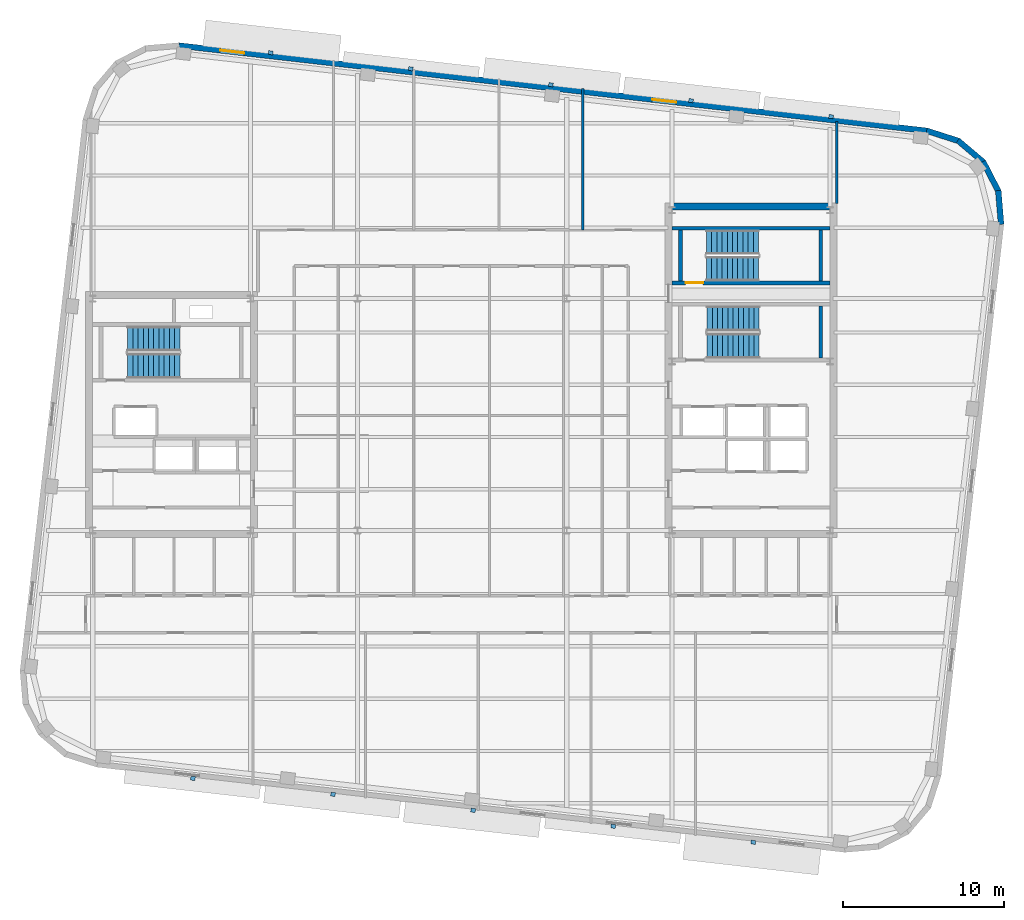
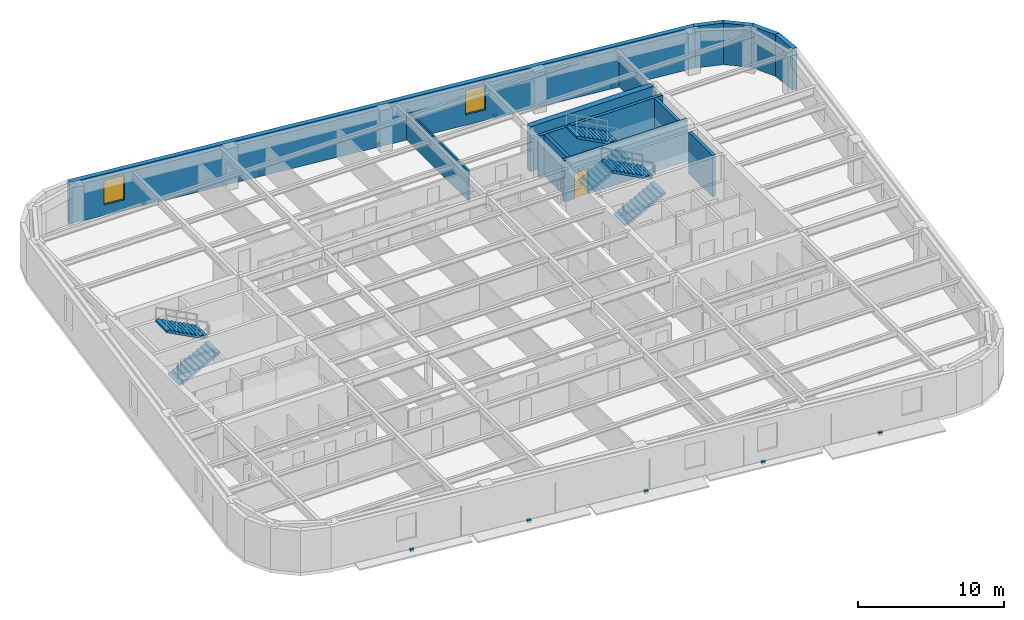
# One storey, part 9 of 13: 13 walls, 10 discrete accessories, 6 stair flights, 2 windows, 1 door, 3 openings, 3 elements without a shape of their own.
"""IFC4 building model written with IfcOpenShell, lengths in metres."""

from ifc_helpers import new_model, si_unit, direction, frame, frame_2d, origin, origin_2d, place, context, subcontext, project, spatial, polyline, rectangle, outline, extrude, material, layer, layer_set, type_object, element, fill, aggregate, save


model = new_model("IFC4")

# Units and contexts
model_context = context("Model", 3, precision=1e-05, world=origin(), true_north=direction((0.0, 1.0)))
body_context = subcontext(model_context, "Body", "Model", "MODEL_VIEW")
ifc_project = project(units=[si_unit("LENGTHUNIT", "METRE"), si_unit("AREAUNIT", "SQUARE_METRE"), si_unit("VOLUMEUNIT", "CUBIC_METRE"), si_unit("PLANEANGLEUNIT", "RADIAN"), si_unit("MASSUNIT", "GRAM", prefix="KILO")], contexts=[model_context])

# Site, building, storey
site_placement = place(None, origin())
site = spatial("IfcSite", under=ifc_project, at=site_placement, CompositionType="ELEMENT")
building_placement = place(site_placement, origin())
building = spatial("IfcBuilding", under=site, at=building_placement, Name="Kolvaren Arena Tower", CompositionType="ELEMENT")
storey_placement = place(building_placement, frame((0.0, 0.0, 232.199951171875)))
storey = spatial("IfcBuildingStorey", under=building, at=storey_placement, Name="L56", CompositionType="ELEMENT", Elevation=232.199951171875)

# Walls
ifc_material_1 = material(Name="Concrete 55 MPa", Category="concrete")
ifc_layer_1 = layer(ifc_material_1, 0.449951171875)
ifc_layer_set_1 = layer_set([ifc_layer_1], Name="Concrete 55 MPa")
wall_type_1 = type_object("IfcWallType", Name="CWALL-450", PredefinedType="SHEAR", material=ifc_layer_set_1)
wall_1_placement = place(storey_placement, frame((50.550048828125, 39.574951171875, -0.27001953125), z_axis=(0.0, 0.0, 1.0), x_axis=(1.0, 0.0, 0.0)))
element("IfcWall", 1, at=wall_1_placement, inside=storey, type_object=wall_type_1, Name="Core Shear Wall EC-NORTH (L56)", PredefinedType="SHEAR", context=body_context, shape_type="SweptSolid", body=[
    extrude(rectangle(XDim=9.800048828125, YDim=0.449951171875, at=frame_2d((4.89990234375, 0.0))), origin(), (0.0, 0.0, 1.0), 3.75),
])
ifc_material_2 = material(Name="Precast concrete C50/60", Category="concrete")
ifc_layer_2 = layer(ifc_material_2, 0.360107421875)
ifc_layer_set_2 = layer_set([ifc_layer_2], Name="Precast concrete C50/60")
wall_type_2 = type_object("IfcWallType", Name="EXT-PIER2", PredefinedType="SOLIDWALL", material=ifc_layer_set_2)
wall_2_placement = place(storey_placement, frame((70.813720703125, 40.563720703125, 0.0), z_axis=(0.0, 0.0, 1.0), x_axis=(0.082853678144, -0.996561723135, 0.0)))
element("IfcWall", 2, at=wall_2_placement, inside=storey, type_object=wall_type_2, Name="Exterior Precast Masonry-Frame Wall (L56)", PredefinedType="SOLIDWALL", context=body_context, shape_type="SweptSolid", body=[
    extrude(rectangle(XDim=2.10693359375, YDim=0.360107421875, at=frame_2d((1.053466796875, 0.0))), origin(), (0.0, 0.0, 1.0), 3.47998046875),
])
for number, where, z_axis, x_axis, name in (
    (3, (69.868408203125, 42.369384765625, 0.0), (0.0, 0.0, 1.0), (0.457887222333, -0.889010287693, 0.0), "Exterior Precast Masonry-Frame Wall (L56)"),
    (4, (68.303955078125, 43.67578125, 0.0), (0.0, 0.0, 1.0), (0.763192878975, -0.646170743289, 0.0), "Exterior Precast Masonry-Frame Wall (L56)"),
    (5, (66.358642578125, 44.283935546875, 0.0), (0.0, 0.0, 1.0), (0.952403965565, -0.304838787518, 0.0), "Exterior Precast Masonry-Frame Wall (L56)"),
):
    element("IfcWall", number, at=place(storey_placement, frame(where, z_axis=z_axis, x_axis=x_axis)), inside=storey, type_object=wall_type_2, Name=name, PredefinedType="SOLIDWALL", context=body_context, shape_type="SweptSolid", body=[
        extrude(rectangle(XDim=2.107177734375, YDim=0.360107421875, at=frame_2d((1.0537109375, 0.0))), origin(), (0.0, 0.0, 1.0), 3.47998046875),
    ])

# Wall, openings, windows
wall_3_placement = place(storey_placement, frame((19.89404296875, 49.57470703125, 0.0), z_axis=(0.0, 0.0, 1.0), x_axis=(0.993571439016, -0.113206870688, 0.0)))
wall_3 = element("IfcWall", 6, at=wall_3_placement, inside=storey, type_object=wall_type_2, Name="Exterior Precast Masonry-Frame Wall (L56)", PredefinedType="SOLIDWALL", context=body_context, shape_type="SweptSolid", body=[
    extrude(rectangle(XDim=46.800048828125, YDim=0.360107421875, at=frame_2d((23.39990234375, 0.0))), origin(), (0.0, 0.0, 1.0), 3.47998046875),
])
opening_1_placement = place(wall_3_placement, frame((2.60009765625, 0.0, 0.8798828125)))
opening_1 = element("IfcOpeningElement", 7, at=opening_1_placement, cuts=wall_3, Name="Opening W03", PredefinedType="OPENING", context=body_context, shape_type="SweptSolid", body=[
    extrude(rectangle(XDim=1.5, YDim=2.050048828125, at=frame_2d((0.75, 1.02490234375))), frame((0.0, 0.18994140625, 0.0), z_axis=(0.0, -1.0, 0.0), x_axis=(1.0, 0.0, 0.0)), (0.0, 0.0, 1.0), 0.380126953125),
])
opening_2_placement = place(wall_3_placement, frame((29.60009765625, 0.0, 0.8798828125)))
opening_2 = element("IfcOpeningElement", 8, at=opening_2_placement, cuts=wall_3, Name="Opening W03", PredefinedType="OPENING", context=body_context, shape_type="SweptSolid", body=[
    extrude(rectangle(XDim=1.5, YDim=2.050048828125, at=frame_2d((0.75, 1.02490234375))), frame((0.0, 0.18994140625, 0.0), z_axis=(0.0, -1.0, 0.0), x_axis=(1.0, 0.0, 0.0)), (0.0, 0.0, 1.0), 0.380126953125),
])
ifc_material_3 = material(Name="Triple-glazed low-E aluminium window", Category="aluminium")
window_type = type_object("IfcWindowType", Name="WIN-OFF-C", PartitioningType="SINGLE_PANEL", PredefinedType="WINDOW", material=ifc_material_3)
window_1_placement = place(opening_1_placement, origin())
window_1 = element("IfcWindow", 9, at=window_1_placement, inside=storey, type_object=window_type, Name="Punched Precast-Pier Window (L56)", OverallHeight=2.050048828125, OverallWidth=1.5, PartitioningType="SINGLE_PANEL", PredefinedType="WINDOW", context=body_context, shape_type="SweptSolid", body=[
    extrude(rectangle(XDim=1.5, YDim=2.050048828125, at=frame_2d((0.75, 1.02490234375))), frame((0.0, 0.030029296875, 0.0), z_axis=(0.0, -1.0, 0.0), x_axis=(1.0, 0.0, 0.0)), (0.0, 0.0, 1.0), 0.06005859375),
])
fill(opening_1, window_1)
window_2_placement = place(opening_2_placement, origin())
window_2 = element("IfcWindow", 10, at=window_2_placement, inside=storey, type_object=window_type, Name="Punched Precast-Pier Window (L56)", OverallHeight=2.050048828125, OverallWidth=1.5, PartitioningType="SINGLE_PANEL", PredefinedType="WINDOW", context=body_context, shape_type="SweptSolid", body=[
    extrude(rectangle(XDim=1.5, YDim=2.050048828125, at=frame_2d((0.75, 1.02490234375))), frame((0.0, 0.030029296875, 0.0), z_axis=(0.0, -1.0, 0.0), x_axis=(1.0, 0.0, 0.0)), (0.0, 0.0, 1.0), 0.06005859375),
])
fill(opening_2, window_2)

# Walls
ifc_material_4 = material(Name="Gypsum board partition assembly", Category="gypsum")
ifc_layer_3 = layer(ifc_material_4, 0.135009765625)
ifc_layer_set_3 = layer_set([ifc_layer_3], Name="Gypsum board partition assembly")
wall_type_3 = type_object("IfcWallType", Name="PART-135", PredefinedType="PARTITIONING", material=ifc_layer_set_3)
wall_4_placement = place(storey_placement, frame((45.0, 38.1201171875, 0.0), z_axis=(0.0, 0.0, 1.0), x_axis=(0.0, 1.0, 0.0)))
element("IfcWall", 11, at=wall_4_placement, inside=storey, type_object=wall_type_3, Name="Interior Partition Wall (L56)", PredefinedType="PARTITIONING", context=body_context, shape_type="SweptSolid", body=[
    extrude(rectangle(XDim=8.775146484375, YDim=0.135009765625, at=frame_2d((4.3876953125, 0.0))), origin(), (0.0, 0.0, 1.0), 2.5400390625),
])
wall_5_placement = place(storey_placement, frame((60.780029296875, 39.75, 0.0), z_axis=(0.0, 0.0, 1.0), x_axis=(0.0, 1.0, 0.0)))
element("IfcWall", 12, at=wall_5_placement, inside=storey, type_object=wall_type_3, Name="Interior Partition Wall (L56)", PredefinedType="PARTITIONING", context=body_context, shape_type="SweptSolid", body=[
    extrude(rectangle(XDim=5.105712890625, YDim=0.135009765625, at=frame_2d((2.552734375, 0.0))), origin(), (0.0, 0.0, 1.0), 2.5400390625),
])
ifc_material_5 = material(Name="Concrete 45 MPa", Category="concrete")
ifc_layer_4 = layer(ifc_material_5, 0.25)
ifc_layer_set_4 = layer_set([ifc_layer_4], Name="Concrete 45 MPa")
wall_type_4 = type_object("IfcWallType", Name="SHAFT-250", PredefinedType="SOLIDWALL", material=ifc_layer_set_4)
wall_6_placement = place(storey_placement, frame((59.780029296875, 30.14990234375, 0.0), z_axis=(0.0, 0.0, 1.0), x_axis=(0.0, 1.0, 0.0)))
element("IfcWall", 13, at=wall_6_placement, inside=storey, type_object=wall_type_4, Name="Core Shaft Wall (L56)", PredefinedType="SOLIDWALL", context=body_context, shape_type="SweptSolid", body=[
    extrude(rectangle(XDim=3.22998046875, YDim=0.239990234375, at=frame_2d((1.614990234375, 0.0))), origin(), (0.0, 0.0, 1.0), 3.47998046875),
])

# Wall, opening, door
wall_7_placement = place(storey_placement, frame((60.35009765625, 34.830078125, 0.0), z_axis=(0.0, 0.0, 1.0), x_axis=(-1.0, 0.0, 0.0)))
wall_7 = element("IfcWall", 14, at=wall_7_placement, inside=storey, type_object=wall_type_4, Name="Core Shaft Wall (L56)", PredefinedType="SOLIDWALL", context=body_context, shape_type="SweptSolid", body=[
    extrude(rectangle(XDim=9.800048828125, YDim=0.239990234375, at=frame_2d((4.89990234375, 0.0))), origin(), (0.0, 0.0, 1.0), 3.47998046875),
])
opening_3_placement = place(wall_7_placement, frame((7.8701171875, 0.0, 0.0)))
opening_3 = element("IfcOpeningElement", 15, at=opening_3_placement, cuts=wall_7, Name="Opening D03", PredefinedType="OPENING", context=body_context, shape_type="SweptSolid", body=[
    extrude(rectangle(XDim=1.10009765625, YDim=2.14990234375, at=frame_2d((0.550048828125, 1.074951171875))), frame((0.0, 0.1298828125, 0.0), z_axis=(0.0, -1.0, 0.0), x_axis=(1.0, 0.0, 0.0)), (0.0, 0.0, 1.0), 0.260009765625),
])
ifc_material_6 = material(Name="Fire-rated steel exit stair door", Category="steel")
door_type = type_object("IfcDoorType", Name="DOOR-ST-110", OperationType="NOTDEFINED", PredefinedType="DOOR", material=ifc_material_6)
door_placement = place(opening_3_placement, origin())
door = element("IfcDoor", 16, at=door_placement, inside=storey, type_object=door_type, Name="Stair ST-E2 Fire Door (L56)", OperationType="SINGLE_SWING_LEFT", OverallHeight=2.14990234375, OverallWidth=1.10009765625, PredefinedType="DOOR", context=body_context, shape_type="SweptSolid", body=[
    extrude(rectangle(XDim=1.10009765625, YDim=2.14990234375, at=frame_2d((0.550048828125, 1.074951171875))), frame((0.0, 0.02490234375, 0.0), z_axis=(0.0, -1.0, 0.0), x_axis=(1.0, 0.0, 0.0)), (0.0, 0.0, 1.0), 0.050048828125),
])
fill(opening_3, door)

# Walls
wall_8_placement = place(storey_placement, frame((50.550048828125, 38.219970703125, 0.0), z_axis=(0.0, 0.0, 1.0), x_axis=(1.0, 0.0, 0.0)))
element("IfcWall", 17, at=wall_8_placement, inside=storey, type_object=wall_type_4, Name="Core Shaft Wall (L56)", PredefinedType="SOLIDWALL", context=body_context, shape_type="SweptSolid", body=[
    extrude(rectangle(XDim=9.800048828125, YDim=0.239990234375, at=frame_2d((4.89990234375, 0.0))), origin(), (0.0, 0.0, 1.0), 3.47998046875),
])
for number, where, z_axis, x_axis, name in (
    (18, (51.06005859375, 34.949951171875, 0.0), (0.0, 0.0, 1.0), (0.0, 1.0, 0.0), "Core Shaft Wall (L56)"),
    (19, (59.780029296875, 34.949951171875, 0.0), (0.0, 0.0, 1.0), (0.0, 1.0, 0.0), "Core Shaft Wall (L56)"),
):
    element("IfcWall", number, at=place(storey_placement, frame(where, z_axis=z_axis, x_axis=x_axis)), inside=storey, type_object=wall_type_4, Name=name, PredefinedType="SOLIDWALL", context=body_context, shape_type="SweptSolid", body=[
        extrude(rectangle(XDim=3.150146484375, YDim=0.239990234375, at=frame_2d((1.5751953125, 0.0))), origin(), (0.0, 0.0, 1.0), 3.47998046875),
    ])

# Stair, stair flights
stair_type_1 = type_object("IfcStairType", Name="STAIR-CORE-150", PredefinedType="HALF_TURN_STAIR", material=ifc_material_5)
stair_1_placement = place(storey_placement, origin())
stair_1 = element("IfcStair", 20, at=stair_1_placement, inside=storey, type_object=stair_type_1, Name="L56 ST-E2", PredefinedType="HALF_TURN_STAIR")
stair_flight_type_1 = type_object("IfcStairFlightType", Name="FLT-150", PredefinedType="STRAIGHT", material=ifc_material_5)
stair_flight_1_placement = place(storey_placement, frame((52.679931640625, 35.699951171875, 0.0), z_axis=(0.0, 0.0, 1.0), x_axis=(1.0, 0.0, 0.0)))
stair_flight_1 = element("IfcStairFlight", 21, at=stair_flight_1_placement, type_object=stair_flight_type_1, Name="ST-E2 flight 1", NumberOfRisers=11, NumberOfTreads=10, PredefinedType="STRAIGHT", RiserHeight=0.170454545, TreadLength=0.324, context=body_context, shape_type="SweptSolid", body=[
    extrude(outline(polyline([(0.0, 0.0), (0.0, 0.17041015625), (0.323974609375, 0.17041015625), (0.323974609375, 0.3408203125), (0.64794921875, 0.3408203125), (0.64794921875, 0.511474609375), (0.971923828125, 0.511474609375), (0.971923828125, 0.681884765625), (1.2958984375, 0.681884765625), (1.2958984375, 0.852294921875), (1.6201171875, 0.852294921875), (1.6201171875, 1.022705078125), (1.944091796875, 1.022705078125), (1.944091796875, 1.193115234375), (2.26806640625, 1.193115234375), (2.26806640625, 1.363525390625), (2.592041015625, 1.363525390625), (2.592041015625, 1.5341796875), (2.916015625, 1.5341796875), (2.916015625, 1.70458984375), (3.239990234375, 1.70458984375), (3.239990234375, 1.875), (3.239990234375, 1.53515625), (0.322021484375, 0.0), (0.0, 0.0)])), frame((0.0, 0.75, 0.0), z_axis=(0.0, -1.0, 0.0), x_axis=(1.0, 0.0, 0.0)), (0.0, 0.0, 1.0), 1.5),
])
stair_flight_2_placement = place(storey_placement, frame((55.919921875, 37.35009765625, 1.875), z_axis=(0.0, 0.0, 1.0), x_axis=(-1.0, 0.0, 0.0)))
stair_flight_2 = element("IfcStairFlight", 22, at=stair_flight_2_placement, type_object=stair_flight_type_1, Name="ST-E2 flight 2", NumberOfRisers=11, NumberOfTreads=10, PredefinedType="STRAIGHT", RiserHeight=0.170454545, TreadLength=0.324, context=body_context, shape_type="SweptSolid", body=[
    extrude(outline(polyline([(0.0, 0.0), (0.0, 0.17041015625), (0.323974609375, 0.17041015625), (0.323974609375, 0.3408203125), (0.64794921875, 0.3408203125), (0.64794921875, 0.511474609375), (0.971923828125, 0.511474609375), (0.971923828125, 0.681884765625), (1.2958984375, 0.681884765625), (1.2958984375, 0.852294921875), (1.6201171875, 0.852294921875), (1.6201171875, 1.022705078125), (1.944091796875, 1.022705078125), (1.944091796875, 1.193115234375), (2.26806640625, 1.193115234375), (2.26806640625, 1.363525390625), (2.592041015625, 1.363525390625), (2.592041015625, 1.5341796875), (2.916015625, 1.5341796875), (2.916015625, 1.70458984375), (3.239990234375, 1.70458984375), (3.239990234375, 1.875), (3.239990234375, 1.53515625), (0.322021484375, 0.0), (0.0, 0.0)])), frame((0.0, 0.75, 0.0), z_axis=(0.0, -1.0, 0.0), x_axis=(1.0, 0.0, 0.0)), (0.0, 0.0, 1.0), 1.5),
])
aggregate(stair_1, [stair_flight_1, stair_flight_2])

stair_type_2 = type_object("IfcStairType", Name="STAIR-CORE-165", PredefinedType="HALF_TURN_STAIR", material=ifc_material_5)
stair_2_placement = place(storey_placement, origin())
stair_2 = element("IfcStair", 23, at=stair_2_placement, inside=storey, type_object=stair_type_2, Name="L56 ST-W1", PredefinedType="HALF_TURN_STAIR")
stair_flight_type_2 = type_object("IfcStairFlightType", Name="FLT-165", PredefinedType="STRAIGHT", material=ifc_material_5)
stair_flight_3_placement = place(storey_placement, frame((16.719970703125, 29.669921875, 0.0), z_axis=(0.0, 0.0, 1.0), x_axis=(1.0, 0.0, 0.0)))
stair_flight_3 = element("IfcStairFlight", 24, at=stair_flight_3_placement, type_object=stair_flight_type_2, Name="ST-W1 flight 1", NumberOfRisers=11, NumberOfTreads=10, PredefinedType="STRAIGHT", RiserHeight=0.170454545, TreadLength=0.324, context=body_context, shape_type="SweptSolid", body=[
    extrude(outline(polyline([(0.0, 0.0), (0.0, 0.17041015625), (0.323974609375, 0.17041015625), (0.323974609375, 0.3408203125), (0.64794921875, 0.3408203125), (0.64794921875, 0.511474609375), (0.971923828125, 0.511474609375), (0.971923828125, 0.681884765625), (1.2958984375, 0.681884765625), (1.2958984375, 0.852294921875), (1.6201171875, 0.852294921875), (1.6201171875, 1.022705078125), (1.944091796875, 1.022705078125), (1.944091796875, 1.193115234375), (2.26806640625, 1.193115234375), (2.26806640625, 1.363525390625), (2.592041015625, 1.363525390625), (2.592041015625, 1.5341796875), (2.916015625, 1.5341796875), (2.916015625, 1.70458984375), (3.239990234375, 1.70458984375), (3.239990234375, 1.875), (3.239990234375, 1.53515625), (0.322021484375, 0.0), (0.0, 0.0)])), frame((0.0, 0.77001953125, 0.0), z_axis=(0.0, -1.0, 0.0), x_axis=(1.0, 0.0, 0.0)), (0.0, 0.0, 1.0), 1.5400390625),
])
stair_flight_4_placement = place(storey_placement, frame((19.9599609375, 31.360107421875, 1.875), z_axis=(0.0, 0.0, 1.0), x_axis=(-1.0, 0.0, 0.0)))
stair_flight_4 = element("IfcStairFlight", 25, at=stair_flight_4_placement, type_object=stair_flight_type_2, Name="ST-W1 flight 2", NumberOfRisers=11, NumberOfTreads=10, PredefinedType="STRAIGHT", RiserHeight=0.170454545, TreadLength=0.324, context=body_context, shape_type="SweptSolid", body=[
    extrude(outline(polyline([(0.0, 0.0), (0.0, 0.17041015625), (0.323974609375, 0.17041015625), (0.323974609375, 0.3408203125), (0.64794921875, 0.3408203125), (0.64794921875, 0.511474609375), (0.971923828125, 0.511474609375), (0.971923828125, 0.681884765625), (1.2958984375, 0.681884765625), (1.2958984375, 0.852294921875), (1.6201171875, 0.852294921875), (1.6201171875, 1.022705078125), (1.944091796875, 1.022705078125), (1.944091796875, 1.193115234375), (2.26806640625, 1.193115234375), (2.26806640625, 1.363525390625), (2.592041015625, 1.363525390625), (2.592041015625, 1.5341796875), (2.916015625, 1.5341796875), (2.916015625, 1.70458984375), (3.239990234375, 1.70458984375), (3.239990234375, 1.875), (3.239990234375, 1.53515625), (0.322021484375, 0.0), (0.0, 0.0)])), frame((0.0, 0.77001953125, 0.0), z_axis=(0.0, -1.0, 0.0), x_axis=(1.0, 0.0, 0.0)), (0.0, 0.0, 1.0), 1.5400390625),
])
aggregate(stair_2, [stair_flight_3, stair_flight_4])

stair_3_placement = place(storey_placement, origin())
stair_3 = element("IfcStair", 26, at=stair_3_placement, inside=storey, type_object=stair_type_2, Name="L56 ST-E1", PredefinedType="HALF_TURN_STAIR")
stair_flight_5_placement = place(storey_placement, frame((52.719970703125, 30.919921875, 0.0), z_axis=(0.0, 0.0, 1.0), x_axis=(1.0, 0.0, 0.0)))
stair_flight_5 = element("IfcStairFlight", 27, at=stair_flight_5_placement, type_object=stair_flight_type_2, Name="ST-E1 flight 1", NumberOfRisers=11, NumberOfTreads=10, PredefinedType="STRAIGHT", RiserHeight=0.170454545, TreadLength=0.324, context=body_context, shape_type="SweptSolid", body=[
    extrude(outline(polyline([(0.0, 0.0), (0.0, 0.17041015625), (0.323974609375, 0.17041015625), (0.323974609375, 0.3408203125), (0.64794921875, 0.3408203125), (0.64794921875, 0.511474609375), (0.971923828125, 0.511474609375), (0.971923828125, 0.681884765625), (1.2958984375, 0.681884765625), (1.2958984375, 0.852294921875), (1.6201171875, 0.852294921875), (1.6201171875, 1.022705078125), (1.944091796875, 1.022705078125), (1.944091796875, 1.193115234375), (2.26806640625, 1.193115234375), (2.26806640625, 1.363525390625), (2.592041015625, 1.363525390625), (2.592041015625, 1.5341796875), (2.916015625, 1.5341796875), (2.916015625, 1.70458984375), (3.239990234375, 1.70458984375), (3.239990234375, 1.875), (3.239990234375, 1.53515625), (0.322021484375, 0.0), (0.0, 0.0)])), frame((0.0, 0.77001953125, 0.0), z_axis=(0.0, -1.0, 0.0), x_axis=(1.0, 0.0, 0.0)), (0.0, 0.0, 1.0), 1.5400390625),
])
stair_flight_6_placement = place(storey_placement, frame((55.9599609375, 32.610107421875, 1.875), z_axis=(0.0, 0.0, 1.0), x_axis=(-1.0, 0.0, 0.0)))
stair_flight_6 = element("IfcStairFlight", 28, at=stair_flight_6_placement, type_object=stair_flight_type_2, Name="ST-E1 flight 2", NumberOfRisers=11, NumberOfTreads=10, PredefinedType="STRAIGHT", RiserHeight=0.170454545, TreadLength=0.324, context=body_context, shape_type="SweptSolid", body=[
    extrude(outline(polyline([(0.0, 0.0), (0.0, 0.17041015625), (0.323974609375, 0.17041015625), (0.323974609375, 0.3408203125), (0.64794921875, 0.3408203125), (0.64794921875, 0.511474609375), (0.971923828125, 0.511474609375), (0.971923828125, 0.681884765625), (1.2958984375, 0.681884765625), (1.2958984375, 0.852294921875), (1.6201171875, 0.852294921875), (1.6201171875, 1.022705078125), (1.944091796875, 1.022705078125), (1.944091796875, 1.193115234375), (2.26806640625, 1.193115234375), (2.26806640625, 1.363525390625), (2.592041015625, 1.363525390625), (2.592041015625, 1.5341796875), (2.916015625, 1.5341796875), (2.916015625, 1.70458984375), (3.239990234375, 1.70458984375), (3.239990234375, 1.875), (3.239990234375, 1.53515625), (0.322021484375, 0.0), (0.0, 0.0)])), frame((0.0, 0.77001953125, 0.0), z_axis=(0.0, -1.0, 0.0), x_axis=(1.0, 0.0, 0.0)), (0.0, 0.0, 1.0), 1.5400390625),
])
aggregate(stair_3, [stair_flight_5, stair_flight_6])

# Discrete accessories
ifc_material_7 = material(Name="Stainless steel facade support bracket", Category="steel")
discrete_accessory_type = type_object("IfcDiscreteAccessoryType", Name="ACC-BRKT-1", PredefinedType="BRACKET", material=ifc_material_7)
for number, where, z_axis, x_axis, name in (
    (29, (25.60986328125, 49.12451171875, -0.18017578125), (0.0, 0.0, 1.0), (0.993571658098, -0.113204947878, 0.0), "Sunshade Support Bracket (L56)"),
    (30, (34.313720703125, 48.1328125, -0.18017578125), (0.0, 0.0, 1.0), (0.993571658098, -0.113204947878, 0.0), "Sunshade Support Bracket (L56)"),
    (31, (43.017333984375, 47.141357421875, -0.18017578125), (0.0, 0.0, 1.0), (0.993571658098, -0.113204947878, 0.0), "Sunshade Support Bracket (L56)"),
    (32, (51.720947265625, 46.149658203125, -0.18017578125), (0.0, 0.0, 1.0), (0.993571658098, -0.113204947878, 0.0), "Sunshade Support Bracket (L56)"),
    (33, (60.424560546875, 45.157958984375, -0.18017578125), (0.0, 0.0, 1.0), (0.993571658098, -0.113204947878, 0.0), "Sunshade Support Bracket (L56)"),
    (34, (55.590087890625, 0.075439453125, -0.18017578125), (0.0, 0.0, 1.0), (-0.993571658098, 0.113204947878, 0.0), "Sunshade Support Bracket (L56)"),
    (35, (46.886474609375, 1.067138671875, -0.18017578125), (0.0, 0.0, 1.0), (-0.993571658098, 0.113204947878, 0.0), "Sunshade Support Bracket (L56)"),
    (36, (38.1826171875, 2.05859375, -0.18017578125), (0.0, 0.0, 1.0), (-0.993571658098, 0.113204947878, 0.0), "Sunshade Support Bracket (L56)"),
    (37, (29.47900390625, 3.05029296875, -0.18017578125), (0.0, 0.0, 1.0), (-0.993571658098, 0.113204947878, 0.0), "Sunshade Support Bracket (L56)"),
    (38, (20.775390625, 4.0419921875, -0.18017578125), (0.0, 0.0, 1.0), (-0.993571658098, 0.113204947878, 0.0), "Sunshade Support Bracket (L56)"),
):
    element("IfcDiscreteAccessory", number, at=place(storey_placement, frame(where, z_axis=z_axis, x_axis=x_axis)), inside=storey, type_object=discrete_accessory_type, Name=name, PredefinedType="BRACKET", context=body_context, shape_type="SweptSolid", body=[
        extrude(rectangle(XDim=0.280029296875, YDim=0.239990234375, at=origin_2d()), origin(), (0.0, 0.0, 1.0), 0.239990234375),
    ])

save(model, "model.ifc")
